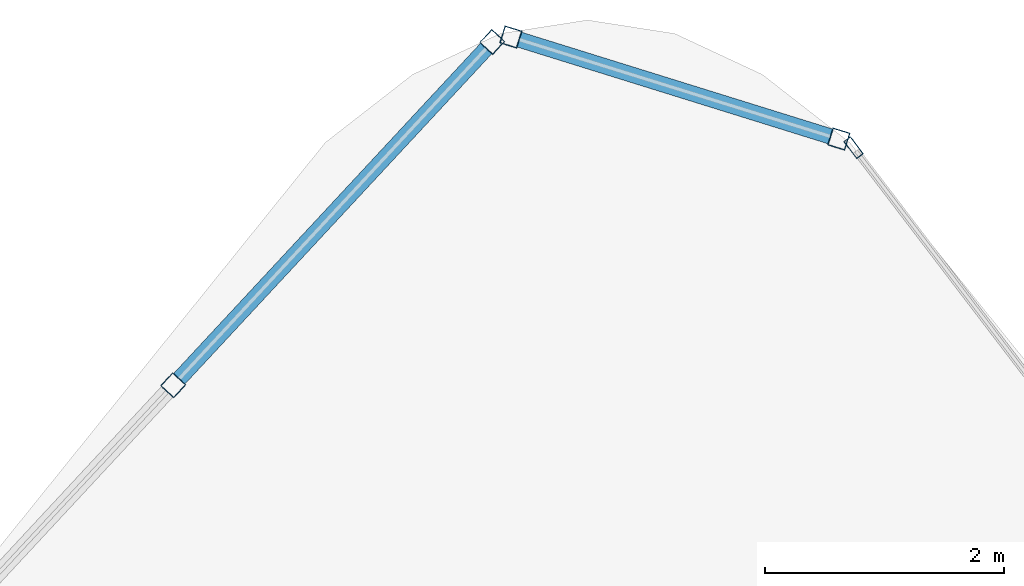
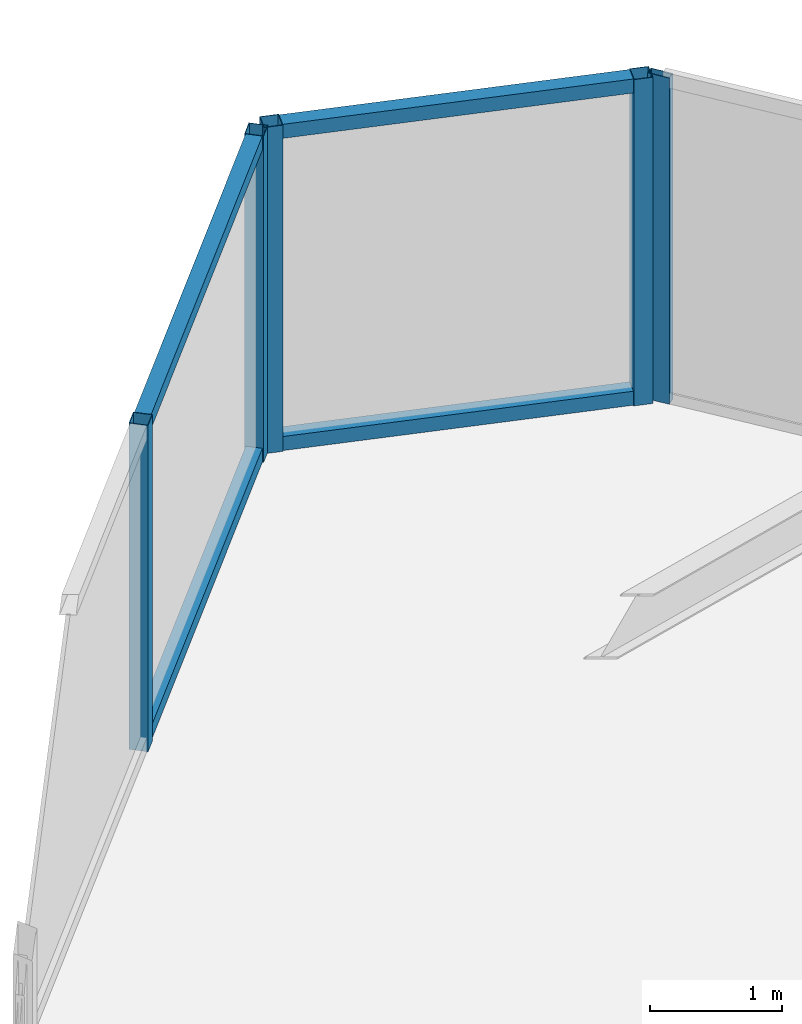
# One storey, part 27 of 38: 9 members, 3 elements without a shape of their own.
"""IFC4 building model written with IfcOpenShell, lengths in metres."""

from ifc_helpers import new_model, si_unit, direction, frame, origin, origin_2d, place, context, subcontext, project, spatial, hollow_rectangle, extrude, material, layer, layer_set, material_profile, profile_set, type_object, element, aggregate, save


model = new_model("IFC4")

# Units and contexts
model_context = context("Model", 3, precision=1e-05, world=origin(), true_north=direction((0.0, 1.0)))
body_context = subcontext(model_context, "Body", "Model", "MODEL_VIEW")
ifc_project = project(units=[si_unit("LENGTHUNIT", "METRE"), si_unit("AREAUNIT", "SQUARE_METRE"), si_unit("VOLUMEUNIT", "CUBIC_METRE"), si_unit("PLANEANGLEUNIT", "RADIAN"), si_unit("MASSUNIT", "GRAM", prefix="KILO")], contexts=[model_context])

# Site, building, storey
site_placement = place(None, origin())
site = spatial("IfcSite", under=ifc_project, at=site_placement, CompositionType="ELEMENT")
building_placement = place(site_placement, origin())
building = spatial("IfcBuilding", under=site, at=building_placement, Name="Orvanel Arch Residences", CompositionType="ELEMENT")
storey_placement = place(building_placement, frame((0.0, 0.0, 56.60009765625)))
storey = spatial("IfcBuildingStorey", under=building, at=storey_placement, Name="L15", CompositionType="ELEMENT", Elevation=56.60009765625)

# Curtain wall, members
ifc_material = material(Name="Bronze-anodised aluminium AA6063-T6", Category="aluminium")
ifc_layer_1 = layer(ifc_material, 0.18994140625)
ifc_layer_set_1 = layer_set([ifc_layer_1], Name="Bronze-anodised aluminium AA6063-T6")
curtain_wall_type_1 = type_object("IfcCurtainWallType", Name="CW5-CRN-SYS", PredefinedType="NOTDEFINED", material=ifc_layer_set_1)
curtain_wall_1_placement = place(storey_placement, origin())
curtain_wall_1 = element("IfcCurtainWall", 1, at=curtain_wall_1_placement, inside=storey, type_object=curtain_wall_type_1, Name="L15 CW5-CRN-SYS Unitised Curtain Wall", PredefinedType="NOTDEFINED")
ifc_material_profile_1 = material_profile(ifc_material, hollow_rectangle(XDim=0.14990234375, YDim=0.14990234375, WallThickness=0.0048828125, at=origin_2d()), Name="ALU150x150x5")
ifc_profile_set_1 = profile_set([ifc_material_profile_1], Name="Bronze-anodised aluminium AA6063-T6")
member_type_1 = type_object("IfcMemberType", Name="MUL-150x150", PredefinedType="MULLION", material=ifc_profile_set_1)
member_1_placement = place(storey_placement, frame((35.1044921875, 50.908203125, 0.0), z_axis=(0.0, 0.0, 1.0), x_axis=(-0.297126820297, -0.954838024306, 0.0)))
member_1 = element("IfcMember", 2, at=member_1_placement, type_object=member_type_1, Name="CW-S5 mullion 1", PredefinedType="MULLION", context=body_context, shape_type="SweptSolid", body=[
    extrude(hollow_rectangle(XDim=0.14990234375, YDim=0.14990234375, WallThickness=0.0048828125, at=origin_2d()), origin(), (0.0, 0.0, 1.0), 3.02001953125),
])
member_2_placement = place(storey_placement, frame((32.358642578125, 51.7626953125, 0.0), z_axis=(0.0, 0.0, 1.0), x_axis=(-0.297126820297, -0.954838024306, 0.0)))
member_2 = element("IfcMember", 3, at=member_2_placement, type_object=member_type_1, Name="CW-S5 mullion 2", PredefinedType="MULLION", context=body_context, shape_type="SweptSolid", body=[
    extrude(hollow_rectangle(XDim=0.14990234375, YDim=0.14990234375, WallThickness=0.0048828125, at=origin_2d()), origin(), (0.0, 0.0, 1.0), 3.02001953125),
])

curtain_wall_2_placement = place(storey_placement, origin())
curtain_wall_2 = element("IfcCurtainWall", 4, at=curtain_wall_2_placement, inside=storey, type_object=curtain_wall_type_1, Name="L15 CW5-CRN-SYS Unitised Curtain Wall", PredefinedType="NOTDEFINED")
member_3_placement = place(storey_placement, frame((32.202880859375, 51.720947265625, 0.0), z_axis=(0.0, 0.0, 1.0), x_axis=(0.732512897092, -0.680753153202, 0.0)))
member_3 = element("IfcMember", 5, at=member_3_placement, type_object=member_type_1, Name="CW-S5 mullion 1", PredefinedType="MULLION", context=body_context, shape_type="SweptSolid", body=[
    extrude(hollow_rectangle(XDim=0.14990234375, YDim=0.14990234375, WallThickness=0.0048828125, at=origin_2d()), origin(), (0.0, 0.0, 1.0), 3.02001953125),
])
member_4_placement = place(storey_placement, frame((29.531494140625, 48.846435546875, 0.0), z_axis=(0.0, 0.0, 1.0), x_axis=(0.732512897092, -0.680753153202, 0.0)))
member_4 = element("IfcMember", 6, at=member_4_placement, type_object=member_type_1, Name="CW-S5 mullion 2", PredefinedType="MULLION", context=body_context, shape_type="SweptSolid", body=[
    extrude(hollow_rectangle(XDim=0.14990234375, YDim=0.14990234375, WallThickness=0.0048828125, at=origin_2d()), origin(), (0.0, 0.0, 1.0), 3.02001953125),
])

# Curtain wall, member
ifc_layer_2 = layer(ifc_material, 0.179931640625)
ifc_layer_set_2 = layer_set([ifc_layer_2], Name="Bronze-anodised aluminium AA6063-T6")
curtain_wall_type_2 = type_object("IfcCurtainWallType", Name="CW2-LOW-SYS", PredefinedType="NOTDEFINED", material=ifc_layer_set_2)
curtain_wall_3_placement = place(storey_placement, origin())
curtain_wall_3 = element("IfcCurtainWall", 7, at=curtain_wall_3_placement, inside=storey, type_object=curtain_wall_type_2, Name="L15 CW2-LOW-SYS Unitised Curtain Wall", PredefinedType="NOTDEFINED")
ifc_material_profile_2 = material_profile(ifc_material, hollow_rectangle(XDim=0.070068359375, YDim=0.179931640625, WallThickness=0.00439453125, at=origin_2d()), Name="ALU180x70x4.5")
ifc_profile_set_2 = profile_set([ifc_material_profile_2], Name="Bronze-anodised aluminium AA6063-T6")
member_type_2 = type_object("IfcMemberType", Name="MUL-180x70", PredefinedType="MULLION", material=ifc_profile_set_2)
member_5_placement = place(storey_placement, frame((35.228271484375, 50.836181640625, 0.0), z_axis=(0.0, 0.0, 1.0), x_axis=(-0.795174097037, -0.606381196444, 0.0)))
member_5 = element("IfcMember", 8, at=member_5_placement, type_object=member_type_2, Name="CW-S2 mullion 4", PredefinedType="MULLION", context=body_context, shape_type="SweptSolid", body=[
    extrude(hollow_rectangle(XDim=0.070068359375, YDim=0.179931640625, WallThickness=0.00439453125, at=origin_2d()), origin(), (0.0, 0.0, 1.0), 3.02001953125),
])
aggregate(curtain_wall_3, [member_5])

# Member
ifc_material_profile_3 = material_profile(ifc_material, hollow_rectangle(XDim=0.1298828125, YDim=0.1298828125, WallThickness=0.00439453125, at=origin_2d()), Name="ALU130x130x4.5")
ifc_profile_set_3 = profile_set([ifc_material_profile_3], Name="Bronze-anodised aluminium AA6063-T6")
member_type_3 = type_object("IfcMemberType", Name="TRN-130x130", PredefinedType="USERDEFINED", material=ifc_profile_set_3)
member_6_placement = place(storey_placement, frame((35.03271484375, 50.9306640625, 0.06494140625), z_axis=(-0.954842659823, 0.297111923324, 0.0), x_axis=(-0.297111923324, -0.954842659823, 0.0)))
member_6 = element("IfcMember", 9, at=member_6_placement, type_object=member_type_3, Name="CW-S5 transom 1.1", ObjectType="TRANSOM", PredefinedType="USERDEFINED", context=body_context, shape_type="SweptSolid", body=[
    extrude(hollow_rectangle(XDim=0.1298828125, YDim=0.1298828125, WallThickness=0.00439453125, at=origin_2d()), origin(), (0.0, 0.0, 1.0), 2.7255859375),
])

member_7_placement = place(storey_placement, frame((35.03271484375, 50.9306640625, 2.954833984375), z_axis=(-0.954842659823, 0.297111923324, 0.0), x_axis=(-0.297111923324, -0.954842659823, 0.0)))
member_7 = element("IfcMember", 10, at=member_7_placement, type_object=member_type_3, Name="CW-S5 transom 1.2", ObjectType="TRANSOM", PredefinedType="USERDEFINED", context=body_context, shape_type="SweptSolid", body=[
    extrude(hollow_rectangle(XDim=0.1298828125, YDim=0.1298828125, WallThickness=0.00439453125, at=origin_2d()), origin(), (0.0, 0.0, 1.0), 2.7255859375),
])

aggregate(curtain_wall_1, [member_1, member_2, member_6, member_7])

member_8_placement = place(storey_placement, frame((32.15185546875, 51.666015625, 0.06494140625), z_axis=(-0.680758698107, -0.732507743953, 0.0), x_axis=(0.732507743953, -0.680758698107, 0.0)))
member_8 = element("IfcMember", 11, at=member_8_placement, type_object=member_type_3, Name="CW-S5 transom 1.1", ObjectType="TRANSOM", PredefinedType="USERDEFINED", context=body_context, shape_type="SweptSolid", body=[
    extrude(hollow_rectangle(XDim=0.1298828125, YDim=0.1298828125, WallThickness=0.00439453125, at=origin_2d()), origin(), (0.0, 0.0, 1.0), 3.774169921875),
])

member_9_placement = place(storey_placement, frame((32.15185546875, 51.666015625, 2.954833984375), z_axis=(-0.680758698107, -0.732507743953, 0.0), x_axis=(0.732507743953, -0.680758698107, 0.0)))
member_9 = element("IfcMember", 12, at=member_9_placement, type_object=member_type_3, Name="CW-S5 transom 1.2", ObjectType="TRANSOM", PredefinedType="USERDEFINED", context=body_context, shape_type="SweptSolid", body=[
    extrude(hollow_rectangle(XDim=0.1298828125, YDim=0.1298828125, WallThickness=0.00439453125, at=origin_2d()), origin(), (0.0, 0.0, 1.0), 3.774169921875),
])

aggregate(curtain_wall_2, [member_3, member_4, member_8, member_9])

save(model, "model.ifc")
